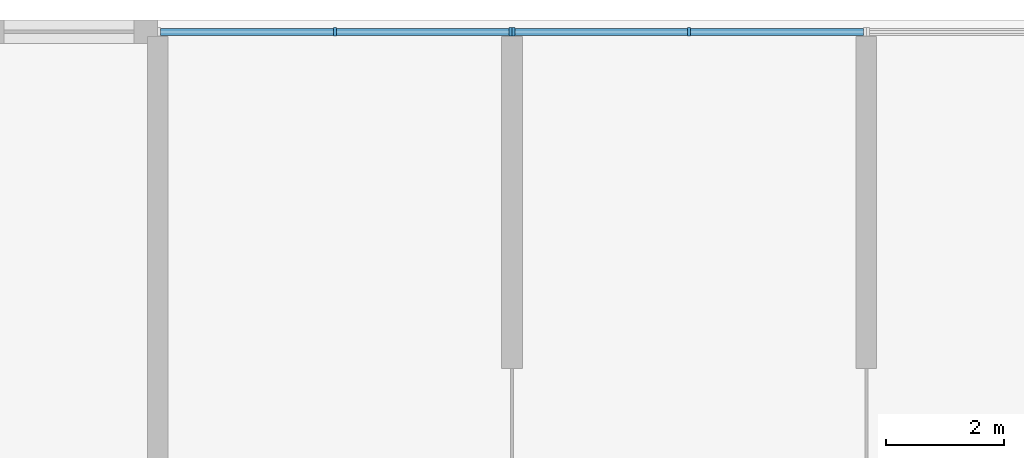
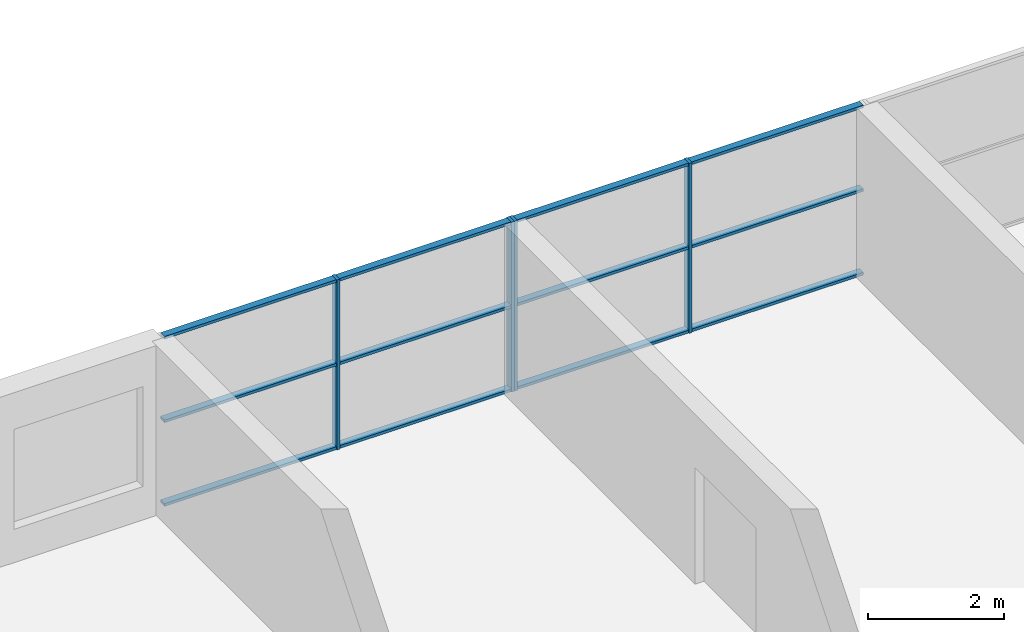
# One storey, part 3 of 18: 16 members, 2 elements without a shape of their own.
"""IFC4 building model written with IfcOpenShell, lengths in metres."""

import ifcopenshell
import ifcopenshell.guid

model = None  # the IFC model being written
_history = None  # IfcOwnerHistory: only IFC2X3 demands one
_inside = {}  # id of a spatial element -> (the spatial element, [elements in it])
_under = {}  # id of a project, library or spatial element -> (it, [spatial elements below it])
_declared = {}  # id of a project -> (the project, [libraries it declares])
_typed = {}  # id of a type object -> (the type object, [elements of that type])
_made_of = {}  # id of a material, layer set ... -> (it, [elements and type objects made of it])


def new_model(schema):
    """Start an empty IFC model of exactly this schema.

    Asked for "IFC4X3", IfcOpenShell would pick the latest addendum, in which some entities
    have other attributes; the version numbers below select the first issue.
    IFC2X3 requires an IfcOwnerHistory on every rooted entity: one is made here for all.
    """
    global model, _history
    if schema == "IFC4X3":
        model = ifcopenshell.file(schema_version=(4, 3, 0, 0))
    else:
        model = ifcopenshell.file(schema=schema)
    _inside.clear()
    _under.clear()
    _declared.clear()
    _typed.clear()
    _made_of.clear()
    _history = None
    if model.schema == "IFC2X3":
        org = make("IfcOrganization", Name="unknown")
        user = make(
            "IfcPersonAndOrganization",
            ThePerson=make("IfcPerson", FamilyName="unknown"),
            TheOrganization=org,
        )
        app = make(
            "IfcApplication",
            ApplicationDeveloper=org,
            Version="unknown",
            ApplicationFullName="unknown",
            ApplicationIdentifier="unknown",
        )
        _history = make(
            "IfcOwnerHistory",
            OwningUser=user,
            OwningApplication=app,
            ChangeAction="ADDED",
            CreationDate=0,
        )
    return model


def make(cls, **values):
    """One entity of the class cls with the attributes given. An attribute that is None is left unset."""
    return model.create_entity(
        cls, **{name: value for name, value in values.items() if value is not None}
    )


def rooted(cls, **values):
    """An entity with a GlobalId (a new one), such as an element, a storey or a relation."""
    return make(cls, GlobalId=ifcopenshell.guid.new(), OwnerHistory=_history, **values)


def si_unit(unit_type, name, prefix=None):
    """IfcSIUnit, for example si_unit("LENGTHUNIT", "METRE", prefix="MILLI")."""
    return make("IfcSIUnit", UnitType=unit_type, Prefix=prefix, Name=name)


def assignment(units):
    """IfcUnitAssignment: the units of a project."""
    return None if units is None else make("IfcUnitAssignment", Units=units)


def point(xyz):
    """IfcCartesianPoint."""
    return None if xyz is None else make("IfcCartesianPoint", Coordinates=xyz)


def direction(xyz):
    """IfcDirection."""
    return None if xyz is None else make("IfcDirection", DirectionRatios=xyz)


def frame(location, z_axis=None, x_axis=None):
    """IfcAxis2Placement3D, a coordinate frame: its origin and axes. An axis left out is left unset."""
    return make(
        "IfcAxis2Placement3D",
        Location=point(location),
        Axis=direction(z_axis),
        RefDirection=direction(x_axis),
    )


def frame_2d(location, x_axis=None):
    """IfcAxis2Placement2D, a coordinate frame in the plane: its origin and x axis."""
    return make(
        "IfcAxis2Placement2D", Location=point(location), RefDirection=direction(x_axis)
    )


def origin():
    """The frame at (0, 0, 0) with its axes left unset."""
    return frame((0.0, 0.0, 0.0))


def origin_2d():
    """The frame at (0, 0) in the plane with its x axis left unset."""
    return frame_2d((0.0, 0.0))


def place(relative_to, where):
    """IfcLocalPlacement: puts the frame where relative to a parent placement (None: the world)."""
    return make(
        "IfcLocalPlacement", PlacementRelTo=relative_to, RelativePlacement=where
    )


def context(
    kind, dimensions, precision=None, world=None, true_north=None, identifier=None
):
    """IfcGeometricRepresentationContext, for example the 3D "Model" context."""
    return make(
        "IfcGeometricRepresentationContext",
        ContextIdentifier=identifier,
        ContextType=kind,
        CoordinateSpaceDimension=dimensions,
        Precision=precision,
        WorldCoordinateSystem=world,
        TrueNorth=true_north,
    )


def subcontext(parent, identifier, kind, view, scale=None):
    """IfcGeometricRepresentationSubContext, for example "Body" below "Model"."""
    return make(
        "IfcGeometricRepresentationSubContext",
        ContextIdentifier=identifier,
        ContextType=kind,
        ParentContext=parent,
        TargetScale=scale,
        TargetView=view,
    )


def project(units=None, contexts=None):
    """IfcProject with its units and contexts."""
    return rooted(
        "IfcProject",
        Name="project",
        RepresentationContexts=contexts,
        UnitsInContext=assignment(units),
    )


def spatial(cls, under=None, at=None, **own):
    """A site, building, storey or space (cls), placed at a placement, below another one or the project."""
    s = rooted(cls, ObjectPlacement=at, **own)
    if under is not None:
        _under.setdefault(under.id(), (under, []))[1].append(s)
    return s


def profile(cls, at=None, kind="AREA", **sizes):
    """A parametric profile (cls). Its sizes go by their IFC names, for example OverallWidth=200.0."""
    return make(cls, ProfileType=kind, Position=at, **sizes)


def rectangle(**sizes):
    """IfcRectangleProfileDef."""
    return profile("IfcRectangleProfileDef", **sizes)


def extrude(swept, where, along, depth):
    """IfcExtrudedAreaSolid: the profile swept, set in the frame where, extruded along a direction by depth."""
    return make(
        "IfcExtrudedAreaSolid",
        SweptArea=swept,
        Position=where,
        ExtrudedDirection=direction(along),
        Depth=depth,
    )


def shape(context_of_items, identifier, shape_type, items):
    """IfcShapeRepresentation: the items that make up one representation, for example the "Body"."""
    return make(
        "IfcShapeRepresentation",
        ContextOfItems=context_of_items,
        RepresentationIdentifier=identifier,
        RepresentationType=shape_type,
        Items=items,
    )


def material(Name=None, Category=None):
    """IfcMaterial."""
    return make("IfcMaterial", Name=Name, Category=Category)


def layer(
    of_material, thickness, ventilated=None, Name=None, Category=None, Priority=None
):
    """IfcMaterialLayer: one layer of a wall or slab, of a material (None: an air gap)."""
    return make(
        "IfcMaterialLayer",
        Material=of_material,
        LayerThickness=thickness,
        IsVentilated=ventilated,
        Name=Name,
        Category=Category,
        Priority=Priority,
    )


def layer_set(layers, Name=None):
    """IfcMaterialLayerSet."""
    return make("IfcMaterialLayerSet", MaterialLayers=layers, LayerSetName=Name)


def material_profile(
    of_material, cross_section, Name=None, Category=None, Priority=None
):
    """IfcMaterialProfile: a cross section and its material."""
    return make(
        "IfcMaterialProfile",
        Name=Name,
        Material=of_material,
        Profile=cross_section,
        Priority=Priority,
        Category=Category,
    )


def profile_set(profiles, Name=None, composite=None):
    """IfcMaterialProfileSet."""
    return make(
        "IfcMaterialProfileSet",
        Name=Name,
        MaterialProfiles=profiles,
        CompositeProfile=composite,
    )


def made_of(thing, what):
    """Note that an element or type object is made of a material, layer set ...; save() writes the relation."""
    if what is not None:
        _made_of.setdefault(what.id(), (what, []))[1].append(thing)
    return thing


def type_object(cls, material=None, **own):
    """A type object (cls), such as IfcWallType, which elements share."""
    return made_of(rooted(cls, **own), material)


def element(
    cls,
    number,
    at=None,
    inside=None,
    cuts=None,
    type_object=None,
    material=None,
    context=None,
    identifier="Body",
    shape_type=None,
    held_by="IfcProductDefinitionShape",
    body=None,
    shapes=None,
    **own,
):
    """One element of the class cls, such as IfcWall. Its Tag is "e" and its number.

    at: its placement. inside: the storey or other place that contains it. cuts: it is an
    opening in that element (IfcRelVoidsElement). A single representation is given by context,
    identifier, shape_type and body (its items); several are given by shapes. held_by: the class
    of the entity that holds the representations. save() writes the other relations.
    """
    e = rooted(cls, Tag="e%d" % number, ObjectPlacement=at, **own)
    if body is not None:
        shapes = [shape(context, identifier, shape_type, body)]
    if shapes is not None:
        e.Representation = make(held_by, Representations=shapes)
    if inside is not None:
        _inside.setdefault(inside.id(), (inside, []))[1].append(e)
    if cuts is not None:
        rooted(
            "IfcRelVoidsElement", RelatingBuildingElement=cuts, RelatedOpeningElement=e
        )
    if type_object is not None:
        _typed.setdefault(type_object.id(), (type_object, []))[1].append(e)
    return made_of(e, material)


def aggregate(whole, parts):
    """IfcRelAggregates: a whole, such as a stair, and the parts it consists of."""
    return rooted("IfcRelAggregates", RelatingObject=whole, RelatedObjects=parts)


def save(model, path):
    """Write the relations noted so far, then the file.

    IfcRelAggregates (storeys below a building ...), IfcRelContainedInSpatialStructure (elements
    in a storey), IfcRelDefinesByType, IfcRelAssociatesMaterial and IfcRelDeclares: one each for
    every whole, place, type object, material and project.
    """
    for whole, parts in _under.values():
        aggregate(whole, parts)
    for where, things in _inside.values():
        rooted(
            "IfcRelContainedInSpatialStructure",
            RelatedElements=things,
            RelatingStructure=where,
        )
    for kind, things in _typed.values():
        rooted("IfcRelDefinesByType", RelatedObjects=things, RelatingType=kind)
    for what, things in _made_of.values():
        rooted("IfcRelAssociatesMaterial", RelatedObjects=things, RelatingMaterial=what)
    for by, libraries in _declared.values():
        rooted("IfcRelDeclares", RelatingContext=by, RelatedDefinitions=libraries)
    model.write(path)


model = new_model("IFC4")

# Units and contexts
model_context = context("Model", 3, precision=1e-05, world=origin(), true_north=direction((0.0, 1.0)))
body_context = subcontext(model_context, "Body", "Model", "MODEL_VIEW")
ifc_project = project(units=[si_unit("LENGTHUNIT", "METRE"), si_unit("AREAUNIT", "SQUARE_METRE"), si_unit("VOLUMEUNIT", "CUBIC_METRE"), si_unit("PLANEANGLEUNIT", "RADIAN"), si_unit("MASSUNIT", "GRAM", prefix="KILO")], contexts=[model_context])

# Site, building, storey
site_placement = place(None, origin())
site = spatial("IfcSite", under=ifc_project, at=site_placement, CompositionType="ELEMENT")
building_placement = place(site_placement, origin())
building = spatial("IfcBuilding", under=site, at=building_placement, Name="Poui Terraces", CompositionType="ELEMENT")
storey_placement = place(building_placement, frame((0.0, 0.0, 105.89990234375)))
storey = spatial("IfcBuildingStorey", under=building, at=storey_placement, Name="L29", CompositionType="ELEMENT", Elevation=105.89990234375)

# Curtain wall, members
ifc_material_1 = material(Name="Clear glass", Category="glass")
ifc_layer = layer(ifc_material_1, 0.14990234375)
ifc_layer_set = layer_set([ifc_layer], Name="Clear glass")
curtain_wall_type = type_object("IfcCurtainWallType", Name="CURTAIN WALL CW-C COMMUNITY HALL GLAZING", PredefinedType="NOTDEFINED", material=ifc_layer_set)
curtain_wall_1_placement = place(storey_placement, origin())
curtain_wall_1 = element("IfcCurtainWall", 1, at=curtain_wall_1_placement, inside=storey, type_object=curtain_wall_type, Name="CW-C COMMUNITY HALL GLAZING", PredefinedType="NOTDEFINED")
ifc_material_2 = material(Name="Aluminium frame", Category="aluminium")
ifc_material_profile_1 = material_profile(ifc_material_2, rectangle(XDim=0.14990234375, YDim=0.050048828125, at=origin_2d()), Name="CW-C MULLION 50X150")
ifc_profile_set_1 = profile_set([ifc_material_profile_1], Name="Aluminium frame")
member_type_1 = type_object("IfcMemberType", Name="CW-C MULLION 50X150", PredefinedType="MULLION", material=ifc_profile_set_1)
member_1_placement = place(storey_placement, frame((65.97509765625, 43.60009765625, 0.0), z_axis=(0.0, 0.0, 1.0), x_axis=(0.0, -1.0, 0.0)))
member_1 = element("IfcMember", 2, at=member_1_placement, type_object=member_type_1, Name="CW-C mullion 1", PredefinedType="MULLION", context=body_context, shape_type="SweptSolid", body=[
    extrude(rectangle(XDim=0.14990234375, YDim=0.050048828125, at=origin_2d()), origin(), (0.0, 0.0, 1.0), 3.06005859375),
])
member_2_placement = place(storey_placement, frame((63.0, 43.60009765625, 0.0), z_axis=(0.0, 0.0, 1.0), x_axis=(0.0, -1.0, 0.0)))
member_2 = element("IfcMember", 3, at=member_2_placement, type_object=member_type_1, Name="CW-C mullion 2", PredefinedType="MULLION", context=body_context, shape_type="SweptSolid", body=[
    extrude(rectangle(XDim=0.14990234375, YDim=0.050048828125, at=origin_2d()), origin(), (0.0, 0.0, 1.0), 3.06005859375),
])

curtain_wall_2_placement = place(storey_placement, origin())
curtain_wall_2 = element("IfcCurtainWall", 4, at=curtain_wall_2_placement, inside=storey, type_object=curtain_wall_type, Name="CW-C COMMUNITY HALL GLAZING", PredefinedType="NOTDEFINED")
member_3_placement = place(storey_placement, frame((69.0, 43.60009765625, 0.0), z_axis=(0.0, 0.0, 1.0), x_axis=(0.0, -1.0, 0.0)))
member_3 = element("IfcMember", 5, at=member_3_placement, type_object=member_type_1, Name="CW-C mullion 2", PredefinedType="MULLION", context=body_context, shape_type="SweptSolid", body=[
    extrude(rectangle(XDim=0.14990234375, YDim=0.050048828125, at=origin_2d()), origin(), (0.0, 0.0, 1.0), 3.06005859375),
])
member_4_placement = place(storey_placement, frame((66.02490234375, 43.60009765625, 0.0), z_axis=(0.0, 0.0, 1.0), x_axis=(0.0, -1.0, 0.0)))
member_4 = element("IfcMember", 6, at=member_4_placement, type_object=member_type_1, Name="CW-C mullion 3", PredefinedType="MULLION", context=body_context, shape_type="SweptSolid", body=[
    extrude(rectangle(XDim=0.14990234375, YDim=0.050048828125, at=origin_2d()), origin(), (0.0, 0.0, 1.0), 3.06005859375),
])

# Member
ifc_material_profile_2 = material_profile(ifc_material_2, rectangle(XDim=0.1201171875, YDim=0.050048828125, at=origin_2d()), Name="CW-C TRANSOM 50X120")
ifc_profile_set_2 = profile_set([ifc_material_profile_2], Name="Aluminium frame")
member_type_2 = type_object("IfcMemberType", Name="CW-C TRANSOM 50X120", PredefinedType="USERDEFINED", material=ifc_profile_set_2)
member_5_placement = place(storey_placement, frame((65.949951171875, 43.60009765625, 0.025146484375), z_axis=(-1.0, 0.0, 0.0), x_axis=(0.0, -1.0, 0.0)))
member_5 = element("IfcMember", 7, at=member_5_placement, type_object=member_type_2, Name="CW-C transom 1.1", ObjectType="TRANSOM", PredefinedType="USERDEFINED", context=body_context, shape_type="SweptSolid", body=[
    extrude(rectangle(XDim=0.1201171875, YDim=0.050048828125, at=origin_2d()), origin(), (0.0, 0.0, 1.0), 2.925048828125),
])

member_6_placement = place(storey_placement, frame((65.949951171875, 43.60009765625, 1.530029296875), z_axis=(-1.0, 0.0, 0.0), x_axis=(0.0, -1.0, 0.0)))
member_6 = element("IfcMember", 8, at=member_6_placement, type_object=member_type_2, Name="CW-C transom 1.2", ObjectType="TRANSOM", PredefinedType="USERDEFINED", context=body_context, shape_type="SweptSolid", body=[
    extrude(rectangle(XDim=0.1201171875, YDim=0.050048828125, at=origin_2d()), origin(), (0.0, 0.0, 1.0), 2.925048828125),
])

member_7_placement = place(storey_placement, frame((65.949951171875, 43.60009765625, 3.03515625), z_axis=(-1.0, 0.0, 0.0), x_axis=(0.0, -1.0, 0.0)))
member_7 = element("IfcMember", 9, at=member_7_placement, type_object=member_type_2, Name="CW-C transom 1.3", ObjectType="TRANSOM", PredefinedType="USERDEFINED", context=body_context, shape_type="SweptSolid", body=[
    extrude(rectangle(XDim=0.1201171875, YDim=0.050048828125, at=origin_2d()), origin(), (0.0, 0.0, 1.0), 2.925048828125),
])

member_8_placement = place(storey_placement, frame((62.97509765625, 43.60009765625, 0.025146484375), z_axis=(-1.0, 0.0, 0.0), x_axis=(0.0, -1.0, 0.0)))
member_8 = element("IfcMember", 10, at=member_8_placement, type_object=member_type_2, Name="CW-C transom 2.1", ObjectType="TRANSOM", PredefinedType="USERDEFINED", context=body_context, shape_type="SweptSolid", body=[
    extrude(rectangle(XDim=0.1201171875, YDim=0.050048828125, at=origin_2d()), origin(), (0.0, 0.0, 1.0), 2.925048828125),
])

member_9_placement = place(storey_placement, frame((62.97509765625, 43.60009765625, 1.530029296875), z_axis=(-1.0, 0.0, 0.0), x_axis=(0.0, -1.0, 0.0)))
member_9 = element("IfcMember", 11, at=member_9_placement, type_object=member_type_2, Name="CW-C transom 2.2", ObjectType="TRANSOM", PredefinedType="USERDEFINED", context=body_context, shape_type="SweptSolid", body=[
    extrude(rectangle(XDim=0.1201171875, YDim=0.050048828125, at=origin_2d()), origin(), (0.0, 0.0, 1.0), 2.925048828125),
])

member_10_placement = place(storey_placement, frame((62.97509765625, 43.60009765625, 3.03515625), z_axis=(-1.0, 0.0, 0.0), x_axis=(0.0, -1.0, 0.0)))
member_10 = element("IfcMember", 12, at=member_10_placement, type_object=member_type_2, Name="CW-C transom 2.3", ObjectType="TRANSOM", PredefinedType="USERDEFINED", context=body_context, shape_type="SweptSolid", body=[
    extrude(rectangle(XDim=0.1201171875, YDim=0.050048828125, at=origin_2d()), origin(), (0.0, 0.0, 1.0), 2.925048828125),
])

aggregate(curtain_wall_1, [member_1, member_2, member_5, member_6, member_7, member_8, member_9, member_10])

member_11_placement = place(storey_placement, frame((71.949951171875, 43.60009765625, 0.025146484375), z_axis=(-1.0, 0.0, 0.0), x_axis=(0.0, -1.0, 0.0)))
member_11 = element("IfcMember", 13, at=member_11_placement, type_object=member_type_2, Name="CW-C transom 1.1", ObjectType="TRANSOM", PredefinedType="USERDEFINED", context=body_context, shape_type="SweptSolid", body=[
    extrude(rectangle(XDim=0.1201171875, YDim=0.050048828125, at=origin_2d()), origin(), (0.0, 0.0, 1.0), 2.925048828125),
])

member_12_placement = place(storey_placement, frame((71.949951171875, 43.60009765625, 1.530029296875), z_axis=(-1.0, 0.0, 0.0), x_axis=(0.0, -1.0, 0.0)))
member_12 = element("IfcMember", 14, at=member_12_placement, type_object=member_type_2, Name="CW-C transom 1.2", ObjectType="TRANSOM", PredefinedType="USERDEFINED", context=body_context, shape_type="SweptSolid", body=[
    extrude(rectangle(XDim=0.1201171875, YDim=0.050048828125, at=origin_2d()), origin(), (0.0, 0.0, 1.0), 2.925048828125),
])

member_13_placement = place(storey_placement, frame((71.949951171875, 43.60009765625, 3.03515625), z_axis=(-1.0, 0.0, 0.0), x_axis=(0.0, -1.0, 0.0)))
member_13 = element("IfcMember", 15, at=member_13_placement, type_object=member_type_2, Name="CW-C transom 1.3", ObjectType="TRANSOM", PredefinedType="USERDEFINED", context=body_context, shape_type="SweptSolid", body=[
    extrude(rectangle(XDim=0.1201171875, YDim=0.050048828125, at=origin_2d()), origin(), (0.0, 0.0, 1.0), 2.925048828125),
])

member_14_placement = place(storey_placement, frame((68.97509765625, 43.60009765625, 0.025146484375), z_axis=(-1.0, 0.0, 0.0), x_axis=(0.0, -1.0, 0.0)))
member_14 = element("IfcMember", 16, at=member_14_placement, type_object=member_type_2, Name="CW-C transom 2.1", ObjectType="TRANSOM", PredefinedType="USERDEFINED", context=body_context, shape_type="SweptSolid", body=[
    extrude(rectangle(XDim=0.1201171875, YDim=0.050048828125, at=origin_2d()), origin(), (0.0, 0.0, 1.0), 2.925048828125),
])

member_15_placement = place(storey_placement, frame((68.97509765625, 43.60009765625, 1.530029296875), z_axis=(-1.0, 0.0, 0.0), x_axis=(0.0, -1.0, 0.0)))
member_15 = element("IfcMember", 17, at=member_15_placement, type_object=member_type_2, Name="CW-C transom 2.2", ObjectType="TRANSOM", PredefinedType="USERDEFINED", context=body_context, shape_type="SweptSolid", body=[
    extrude(rectangle(XDim=0.1201171875, YDim=0.050048828125, at=origin_2d()), origin(), (0.0, 0.0, 1.0), 2.925048828125),
])

member_16_placement = place(storey_placement, frame((68.97509765625, 43.60009765625, 3.03515625), z_axis=(-1.0, 0.0, 0.0), x_axis=(0.0, -1.0, 0.0)))
member_16 = element("IfcMember", 18, at=member_16_placement, type_object=member_type_2, Name="CW-C transom 2.3", ObjectType="TRANSOM", PredefinedType="USERDEFINED", context=body_context, shape_type="SweptSolid", body=[
    extrude(rectangle(XDim=0.1201171875, YDim=0.050048828125, at=origin_2d()), origin(), (0.0, 0.0, 1.0), 2.925048828125),
])

aggregate(curtain_wall_2, [member_3, member_4, member_11, member_12, member_13, member_14, member_15, member_16])

save(model, "model.ifc")
